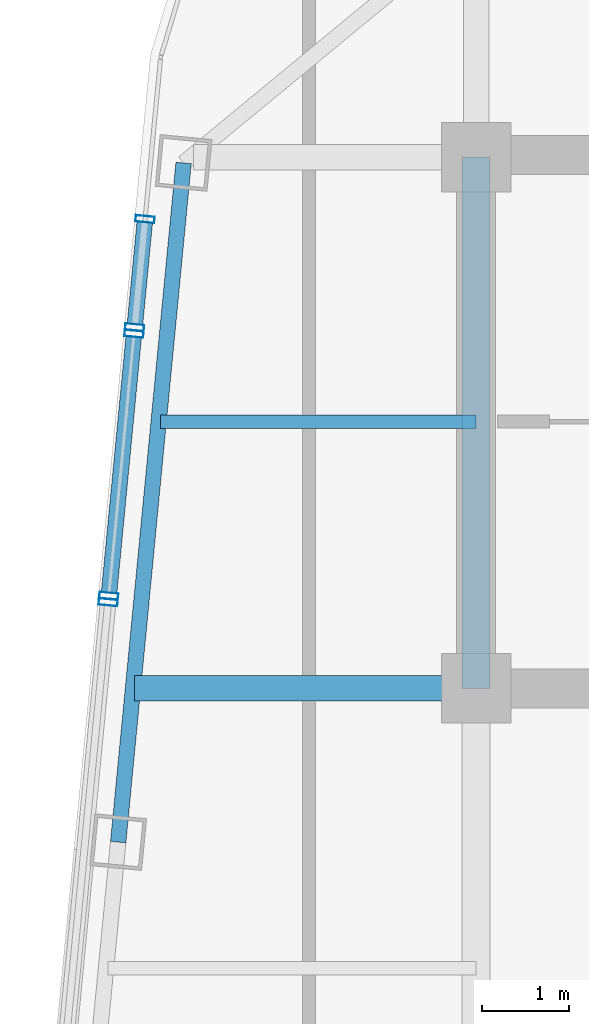
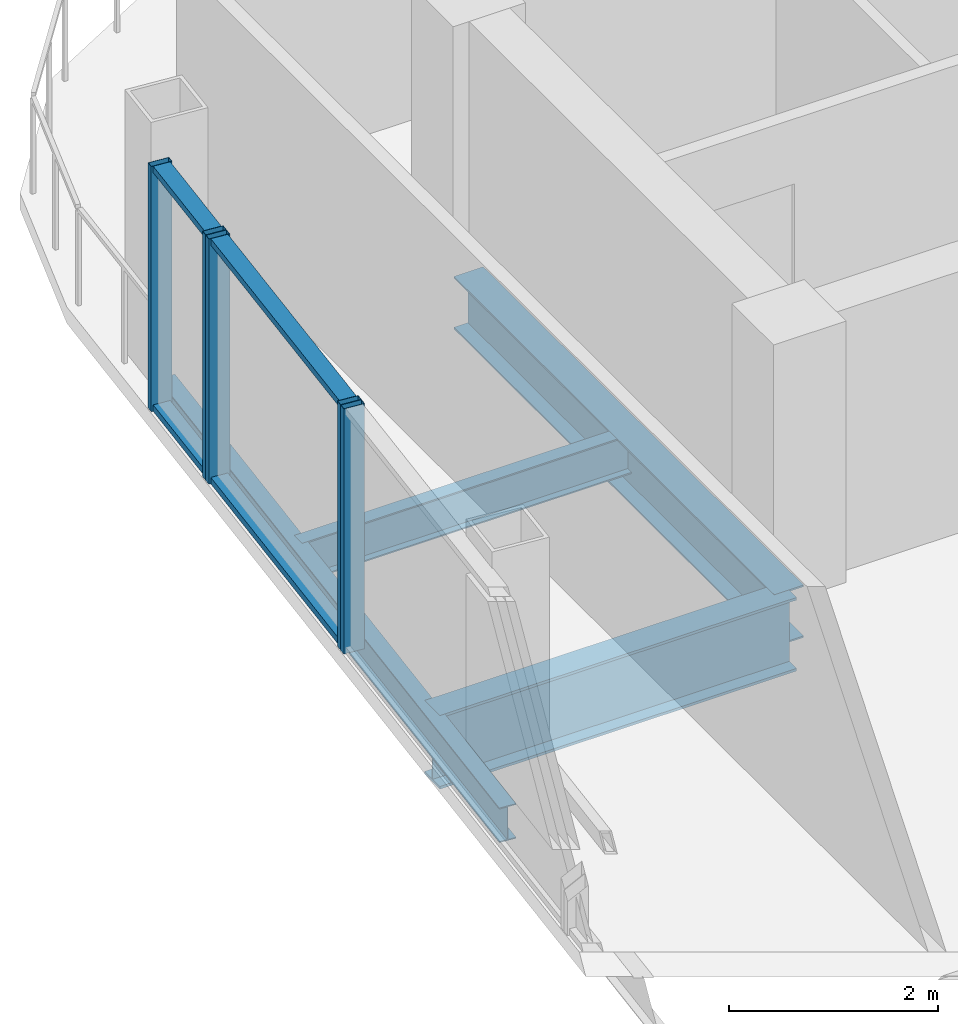
# One storey, part 11 of 26: 9 members, 4 beams, 3 elements without a shape of their own.
"""IFC4 building model written with IfcOpenShell, lengths in metres."""

from ifc_helpers import new_model, si_unit, direction, frame, origin, origin_2d, place, context, subcontext, project, spatial, hollow_rectangle, i_section, extrude, material, layer, layer_set, material_profile, profile_set, type_object, element, aggregate, save


model = new_model("IFC4")

# Units and contexts
model_context = context("Model", 3, precision=1e-05, world=origin(), true_north=direction((0.0, 1.0)))
body_context = subcontext(model_context, "Body", "Model", "MODEL_VIEW")
ifc_project = project(units=[si_unit("LENGTHUNIT", "METRE"), si_unit("AREAUNIT", "SQUARE_METRE"), si_unit("VOLUMEUNIT", "CUBIC_METRE"), si_unit("PLANEANGLEUNIT", "RADIAN"), si_unit("MASSUNIT", "GRAM", prefix="KILO")], contexts=[model_context])

# Site, building, storey
site_placement = place(None, origin())
site = spatial("IfcSite", under=ifc_project, at=site_placement, CompositionType="ELEMENT")
building_placement = place(site_placement, origin())
building = spatial("IfcBuilding", under=site, at=building_placement, Name="Qhalaya Broadcast Tower", CompositionType="ELEMENT")
storey_placement = place(building_placement, frame((0.0, 0.0, 248.949951171875)))
storey = spatial("IfcBuildingStorey", under=building, at=storey_placement, Name="L73", CompositionType="ELEMENT", Elevation=248.949951171875)

# Beams
ifc_material_1 = material(Name="Structural Steel ASTM A992 Grade 50", Category="steel")
ifc_material_profile_1 = material_profile(ifc_material_1, i_section(OverallWidth=0.154052734375, OverallDepth=0.458984375, WebThickness=0.009033203125, FlangeThickness=0.015380859375, at=origin_2d()), Name="W18X46")
ifc_profile_set_1 = profile_set([ifc_material_profile_1], Name="Structural Steel ASTM A992 Grade 50")
beam_type_1 = type_object("IfcBeamType", Name="Composite Floor Joist J04", PredefinedType="JOIST", material=ifc_profile_set_1)
beam_1_placement = place(storey_placement, frame((-13.015625, 6.89990234375, -0.41943359375), z_axis=(1.0, 0.0, 0.0), x_axis=(0.0, 1.0, 0.0)))
element("IfcBeam", 1, at=beam_1_placement, inside=storey, type_object=beam_type_1, Name="L73 J04 L73-JWE5W-1", PredefinedType="JOIST", context=body_context, shape_type="SweptSolid", body=[
    extrude(i_section(OverallWidth=0.154052734375, OverallDepth=0.458984375, WebThickness=0.009033203125, FlangeThickness=0.015380859375, at=origin_2d()), origin(), (0.0, 0.0, 1.0), 3.640625),
])
ifc_material_profile_2 = material_profile(ifc_material_1, i_section(OverallWidth=0.323974609375, OverallDepth=0.612060546875, WebThickness=0.0126953125, FlangeThickness=0.01904296875, at=origin_2d()), Name="W24X104")
ifc_profile_set_2 = profile_set([ifc_material_profile_2], Name="Structural Steel ASTM A992 Grade 50")
beam_type_2 = type_object("IfcBeamType", Name="Core Frame Tie Beam B04", PredefinedType="BEAM", material=ifc_profile_set_2)
beam_2_placement = place(storey_placement, frame((-9.375, 3.824951171875, -0.495849609375), z_axis=(0.0, 1.0, 0.0), x_axis=(-1.0, 0.0, 0.0)))
element("IfcBeam", 2, at=beam_2_placement, inside=storey, type_object=beam_type_2, Name="L73 B04 L73-CCN2", PredefinedType="BEAM", context=body_context, shape_type="SweptSolid", body=[
    extrude(i_section(OverallWidth=0.323974609375, OverallDepth=0.612060546875, WebThickness=0.0126953125, FlangeThickness=0.01904296875, at=origin_2d()), origin(), (0.0, 0.0, 1.0), 6.125),
])

# Curtain wall, members
ifc_material_2 = material(Name="Fired Architectural Terracotta", Category="masonry")
ifc_layer_1 = layer(ifc_material_2, 0.219970703125, Name="Fired Architectural Terracotta")
ifc_layer_set_1 = layer_set([ifc_layer_1], Name="Fired Architectural Terracotta")
curtain_wall_type_1 = type_object("IfcCurtainWallType", Name="Block-Cap Unitised Terracotta Spandrel Wall CW-07", PredefinedType="NOTDEFINED", material=ifc_layer_set_1)
curtain_wall_1_placement = place(storey_placement, origin())
curtain_wall_1 = element("IfcCurtainWall", 3, at=curtain_wall_1_placement, inside=storey, type_object=curtain_wall_type_1, Name="L73 Unitised Curtain Wall L73-CW-W1", PredefinedType="NOTDEFINED")
ifc_material_3 = material(Name="Anodised Aluminium 6063-T6", Category="aluminium")
ifc_material_profile_3 = material_profile(ifc_material_3, hollow_rectangle(XDim=0.074951171875, YDim=0.219970703125, WallThickness=0.00390625, at=origin_2d()), Name="ALU-MUL 75x220x4")
ifc_profile_set_3 = profile_set([ifc_material_profile_3], Name="Anodised Aluminium 6063-T6")
member_type_1 = type_object("IfcMemberType", Name="Unitised Curtain-Wall Mullion M01", PredefinedType="MULLION", material=ifc_profile_set_3)
member_1_placement = place(storey_placement, frame((-13.192626953125, 9.235107421875, 0.0), z_axis=(0.0, 0.0, 1.0), x_axis=(-0.095857322215, -0.995395084264, 0.0)))
member_1 = element("IfcMember", 4, at=member_1_placement, type_object=member_type_1, Name="CW-07 mullion 1", PredefinedType="MULLION", context=body_context, shape_type="SweptSolid", body=[
    extrude(hollow_rectangle(XDim=0.074951171875, YDim=0.219970703125, WallThickness=0.00390625, at=origin_2d()), origin(), (0.0, 0.0, 1.0), 2.860107421875),
])
member_2_placement = place(storey_placement, frame((-13.312744140625, 7.98779296875, 0.0), z_axis=(0.0, 0.0, 1.0), x_axis=(-0.095857322215, -0.995395084264, 0.0)))
member_2 = element("IfcMember", 5, at=member_2_placement, type_object=member_type_1, Name="CW-07 mullion 2", PredefinedType="MULLION", context=body_context, shape_type="SweptSolid", body=[
    extrude(hollow_rectangle(XDim=0.074951171875, YDim=0.219970703125, WallThickness=0.00390625, at=origin_2d()), origin(), (0.0, 0.0, 1.0), 2.860107421875),
])

ifc_material_4 = material(Name="Solar-Control Low-E Triple Glazing", Category="glass")
ifc_layer_2 = layer(ifc_material_4, 0.219970703125, Name="Solar-Control Low-E Triple Glazing")
ifc_layer_set_2 = layer_set([ifc_layer_2], Name="Solar-Control Low-E Triple Glazing")
curtain_wall_type_2 = type_object("IfcCurtainWallType", Name="High-Altitude Upper-Shaft Triple Low-E Curtain Wall CW-04", PredefinedType="NOTDEFINED", material=ifc_layer_set_2)
curtain_wall_2_placement = place(storey_placement, origin())
curtain_wall_2 = element("IfcCurtainWall", 6, at=curtain_wall_2_placement, inside=storey, type_object=curtain_wall_type_2, Name="L73 Unitised Curtain Wall L73-CW-W2", PredefinedType="NOTDEFINED")
member_3_placement = place(storey_placement, frame((-13.31982421875, 7.9130859375, 0.0), z_axis=(0.0, 0.0, 1.0), x_axis=(-0.095851485016, -0.995395646374, 0.0)))
member_3 = element("IfcMember", 7, at=member_3_placement, type_object=member_type_1, Name="CW-04 mullion 1", PredefinedType="MULLION", context=body_context, shape_type="SweptSolid", body=[
    extrude(hollow_rectangle(XDim=0.074951171875, YDim=0.219970703125, WallThickness=0.00390625, at=origin_2d()), origin(), (0.0, 0.0, 1.0), 2.860107421875),
])
member_4_placement = place(storey_placement, frame((-13.61083984375, 4.89208984375, 0.0), z_axis=(0.0, 0.0, 1.0), x_axis=(-0.095851485016, -0.995395646374, 0.0)))
member_4 = element("IfcMember", 8, at=member_4_placement, type_object=member_type_1, Name="CW-04 mullion 2", PredefinedType="MULLION", context=body_context, shape_type="SweptSolid", body=[
    extrude(hollow_rectangle(XDim=0.074951171875, YDim=0.219970703125, WallThickness=0.00390625, at=origin_2d()), origin(), (0.0, 0.0, 1.0), 2.860107421875),
])

# Curtain wall, member
curtain_wall_3_placement = place(storey_placement, origin())
curtain_wall_3 = element("IfcCurtainWall", 9, at=curtain_wall_3_placement, inside=storey, type_object=curtain_wall_type_1, Name="L73 Unitised Curtain Wall L73-CW-W3", PredefinedType="NOTDEFINED")
member_5_placement = place(storey_placement, frame((-13.617919921875, 4.8173828125, 0.0), z_axis=(0.0, 0.0, 1.0), x_axis=(-0.095851335452, -0.995395660776, 0.0)))
member_5 = element("IfcMember", 10, at=member_5_placement, type_object=member_type_1, Name="CW-07 mullion 1", PredefinedType="MULLION", context=body_context, shape_type="SweptSolid", body=[
    extrude(hollow_rectangle(XDim=0.074951171875, YDim=0.219970703125, WallThickness=0.00390625, at=origin_2d()), origin(), (0.0, 0.0, 1.0), 2.860107421875),
])
aggregate(curtain_wall_3, [member_5])

# Member
ifc_material_profile_4 = material_profile(ifc_material_3, hollow_rectangle(XDim=0.074951171875, YDim=0.179931640625, WallThickness=0.00390625, at=origin_2d()), Name="ALU-TRN 75x180x4")
ifc_profile_set_4 = profile_set([ifc_material_profile_4], Name="Anodised Aluminium 6063-T6")
member_type_2 = type_object("IfcMemberType", Name="Unitised Curtain-Wall Transom T01", PredefinedType="USERDEFINED", material=ifc_profile_set_4)
member_6_placement = place(storey_placement, frame((-13.1962890625, 9.19775390625, 0.03759765625), z_axis=(-0.095747947597, -0.995405611061, 0.0), x_axis=(0.0, 0.0, 1.0)))
member_6 = element("IfcMember", 11, at=member_6_placement, type_object=member_type_2, Name="CW-07 transom 1.1", ObjectType="TRANSOM", PredefinedType="USERDEFINED", context=body_context, shape_type="SweptSolid", body=[
    extrude(hollow_rectangle(XDim=0.074951171875, YDim=0.179931640625, WallThickness=0.00390625, at=origin_2d()), origin(), (0.0, 0.0, 1.0), 1.177978515625),
])

member_7_placement = place(storey_placement, frame((-13.1962890625, 9.19775390625, 2.822509765625), z_axis=(-0.095747947597, -0.995405611061, 0.0), x_axis=(0.0, 0.0, 1.0)))
member_7 = element("IfcMember", 12, at=member_7_placement, type_object=member_type_2, Name="CW-07 transom 1.2", ObjectType="TRANSOM", PredefinedType="USERDEFINED", context=body_context, shape_type="SweptSolid", body=[
    extrude(hollow_rectangle(XDim=0.074951171875, YDim=0.179931640625, WallThickness=0.00390625, at=origin_2d()), origin(), (0.0, 0.0, 1.0), 1.177978515625),
])

aggregate(curtain_wall_1, [member_1, member_2, member_6, member_7])

member_8_placement = place(storey_placement, frame((-13.323486328125, 7.875732421875, 0.03759765625), z_axis=(-0.095844425832, -0.995396326112, 0.0), x_axis=(0.0, 0.0, 1.0)))
member_8 = element("IfcMember", 13, at=member_8_placement, type_object=member_type_2, Name="CW-04 transom 1.1", ObjectType="TRANSOM", PredefinedType="USERDEFINED", context=body_context, shape_type="SweptSolid", body=[
    extrude(hollow_rectangle(XDim=0.074951171875, YDim=0.179931640625, WallThickness=0.00390625, at=origin_2d()), origin(), (0.0, 0.0, 1.0), 2.9599609375),
])

member_9_placement = place(storey_placement, frame((-13.323486328125, 7.875732421875, 2.822509765625), z_axis=(-0.095844425832, -0.995396326112, 0.0), x_axis=(0.0, 0.0, 1.0)))
member_9 = element("IfcMember", 14, at=member_9_placement, type_object=member_type_2, Name="CW-04 transom 1.2", ObjectType="TRANSOM", PredefinedType="USERDEFINED", context=body_context, shape_type="SweptSolid", body=[
    extrude(hollow_rectangle(XDim=0.074951171875, YDim=0.179931640625, WallThickness=0.00390625, at=origin_2d()), origin(), (0.0, 0.0, 1.0), 2.9599609375),
])

aggregate(curtain_wall_2, [member_3, member_4, member_8, member_9])

# Beams
ifc_material_profile_5 = material_profile(ifc_material_1, i_section(OverallWidth=0.2919921875, OverallDepth=0.85888671875, WebThickness=0.01708984375, FlangeThickness=0.031005859375, at=origin_2d()), Name="W33X169")
ifc_profile_set_5 = profile_set([ifc_material_profile_5], Name="Structural Steel ASTM A992 Grade 50")
beam_type_3 = type_object("IfcBeamType", Name="Upper Block Primary Girder PG4", PredefinedType="USERDEFINED", material=ifc_profile_set_5)
beam_3_placement = place(storey_placement, frame((-13.311767578125, 3.824951171875, -0.619384765625), z_axis=(1.0, 0.0, 0.0), x_axis=(0.0, 1.0, 0.0)))
element("IfcBeam", 15, at=beam_3_placement, inside=storey, type_object=beam_type_3, Name="L73 PG4 L73-PGYW3-1", ObjectType="GIRDER", PredefinedType="USERDEFINED", context=body_context, shape_type="SweptSolid", body=[
    extrude(i_section(OverallWidth=0.2919921875, OverallDepth=0.85888671875, WebThickness=0.01708984375, FlangeThickness=0.031005859375, at=origin_2d()), origin(), (0.0, 0.0, 1.0), 3.936767578125),
])
ifc_material_profile_6 = material_profile(ifc_material_1, i_section(OverallWidth=0.177978515625, OverallDepth=0.406005859375, WebThickness=0.0078125, FlangeThickness=0.0126953125, at=origin_2d()), Name="W16X40")
ifc_profile_set_6 = profile_set([ifc_material_profile_6], Name="Structural Steel ASTM A992 Grade 50")
beam_type_4 = type_object("IfcBeamType", Name="Upper Perimeter Spandrel Beam SP2", PredefinedType="SPANDREL", material=ifc_profile_set_6)
beam_4_placement = place(storey_placement, frame((-12.74853515625, 9.883056640625, -0.39306640625), z_axis=(-0.095834223619, -0.995397308407, 0.0), x_axis=(0.995397308407, -0.095834223619, 0.0)))
element("IfcBeam", 16, at=beam_4_placement, inside=storey, type_object=beam_type_4, Name="L73 SP2 L73-SPR-13", PredefinedType="SPANDREL", context=body_context, shape_type="SweptSolid", body=[
    extrude(i_section(OverallWidth=0.177978515625, OverallDepth=0.406005859375, WebThickness=0.0078125, FlangeThickness=0.0126953125, at=origin_2d()), origin(), (0.0, 0.0, 1.0), 7.86669921875),
])

save(model, "model.ifc")
